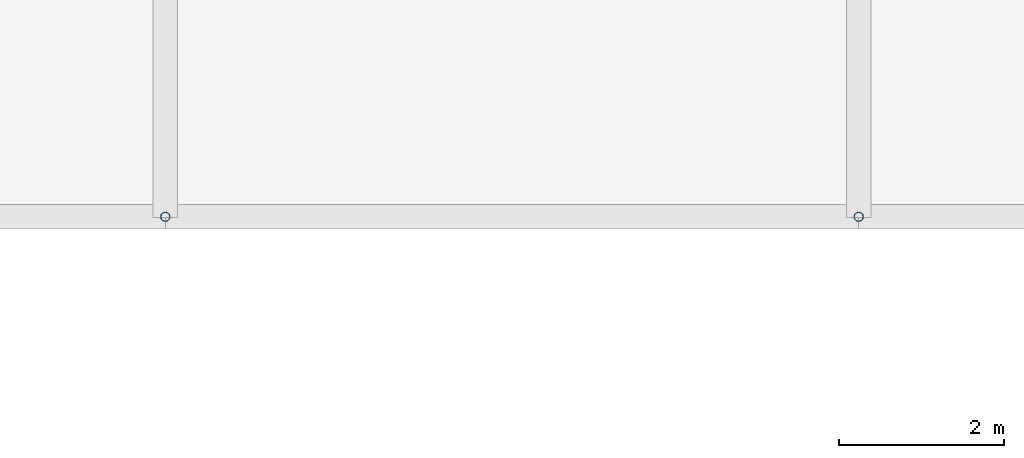
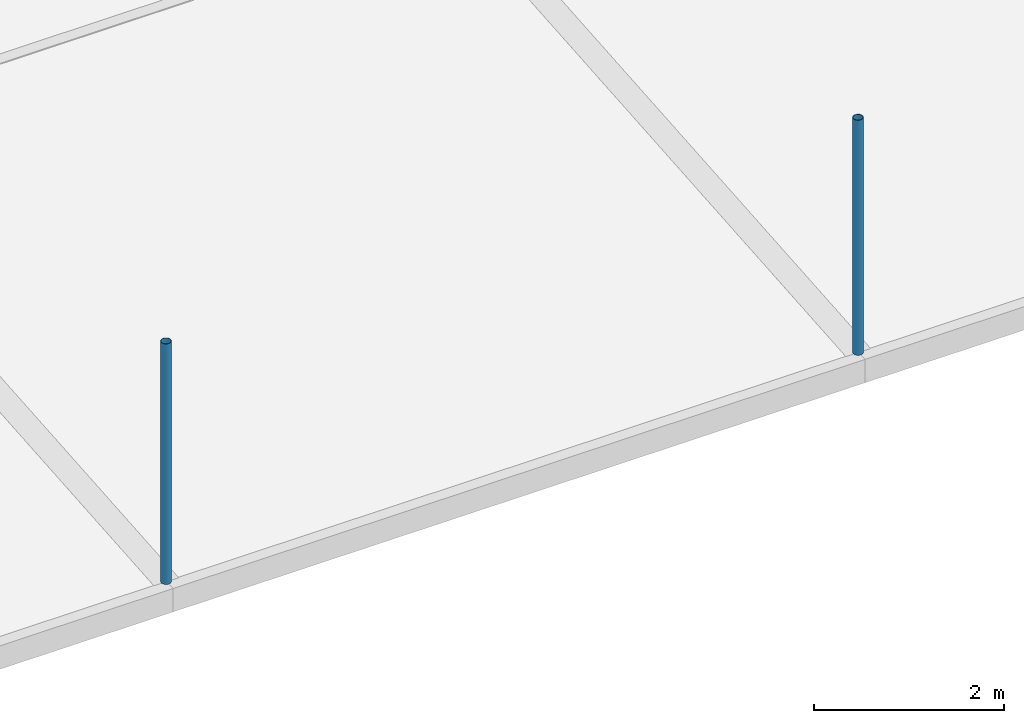
# One storey, part 8 of 37: 2 discrete accessories.
"""IFC4 building model written with IfcOpenShell, lengths in metres."""

from ifc_helpers import new_model, si_unit, direction, frame, origin, origin_2d, place, context, subcontext, project, spatial, hollow_circle, extrude, material, material_profile, profile_set, type_object, element, save


model = new_model("IFC4")

# Units and contexts
model_context = context("Model", 3, precision=1e-05, world=origin(), true_north=direction((0.0, 1.0)))
body_context = subcontext(model_context, "Body", "Model", "MODEL_VIEW")
ifc_project = project(units=[si_unit("LENGTHUNIT", "METRE"), si_unit("AREAUNIT", "SQUARE_METRE"), si_unit("VOLUMEUNIT", "CUBIC_METRE"), si_unit("PLANEANGLEUNIT", "RADIAN"), si_unit("MASSUNIT", "GRAM", prefix="KILO")], contexts=[model_context])

# Site, building, storey
site_placement = place(None, origin())
site = spatial("IfcSite", under=ifc_project, at=site_placement, CompositionType="ELEMENT")
building_placement = place(site_placement, origin())
building = spatial("IfcBuilding", under=site, at=building_placement, Name="Rain Tree Exposition and Congress Centre", CompositionType="ELEMENT")
storey_placement = place(building_placement, frame((0.0, 0.0, 25.0)))
storey = spatial("IfcBuildingStorey", under=building, at=storey_placement, Name="ROOF VAULT LOW", CompositionType="ELEMENT", Elevation=25.0)

# Discrete accessories
ifc_material = material(Name="Steel S355J2H", Category="steel")
ifc_material_profile = material_profile(ifc_material, hollow_circle(Radius=0.05712890625, WallThickness=0.00439453125, at=origin_2d()), Name="CHS 114x4.5")
ifc_profile_set = profile_set([ifc_material_profile], Name="Steel S355J2H")
discrete_accessory_type = type_object("IfcDiscreteAccessoryType", Name="Roof skin post CHS 114x4.5", PredefinedType="BRACKET", material=ifc_profile_set)
discrete_accessory_1_placement = place(storey_placement, frame((58.800048828125, 134.39990234375, 0.4892578125), z_axis=(0.0, 0.0, 1.0), x_axis=(1.0, 0.0, 0.0)))
element("IfcDiscreteAccessory", 1, at=discrete_accessory_1_placement, inside=storey, type_object=discrete_accessory_type, Name="Roof skin post A67", PredefinedType="BRACKET", context=body_context, shape_type="SweptSolid", body=[
    extrude(hollow_circle(Radius=0.05712890625, WallThickness=0.00439453125, at=origin_2d()), origin(), (0.0, 0.0, 1.0), 3.0869140625),
])
discrete_accessory_2_placement = place(storey_placement, frame((67.199951171875, 134.39990234375, 0.4892578125), z_axis=(0.0, 0.0, 1.0), x_axis=(1.0, 0.0, 0.0)))
element("IfcDiscreteAccessory", 2, at=discrete_accessory_2_placement, inside=storey, type_object=discrete_accessory_type, Name="Roof skin post A68", PredefinedType="BRACKET", context=body_context, shape_type="SweptSolid", body=[
    extrude(hollow_circle(Radius=0.05712890625, WallThickness=0.00439453125, at=origin_2d()), origin(), (0.0, 0.0, 1.0), 3.016845703125),
])

save(model, "model.ifc")
